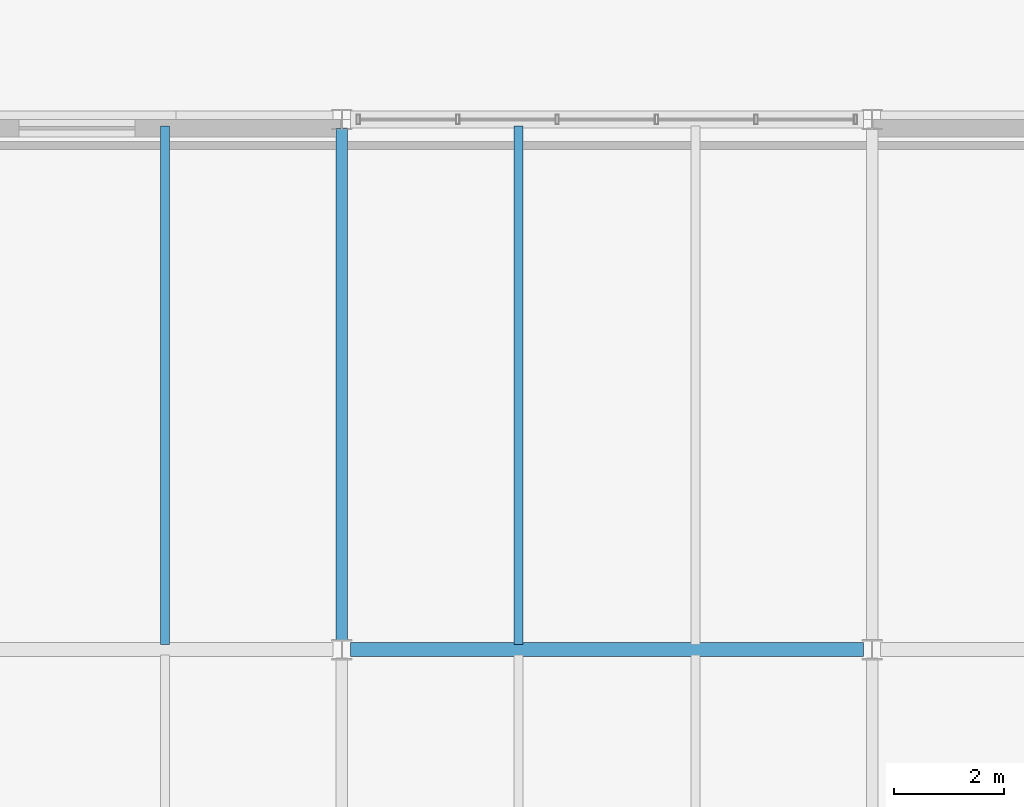
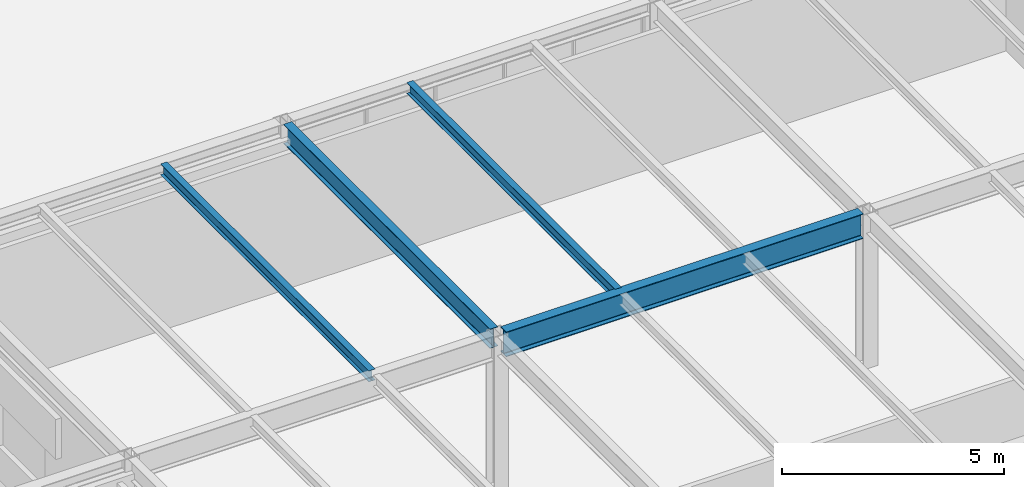
# One storey, part 123 of 170: 4 beams.
"""IFC4 building model written with IfcOpenShell, lengths in metres."""

from ifc_helpers import new_model, si_unit, direction, frame, origin, origin_2d, place, context, subcontext, project, spatial, i_section, extrude, material, material_profile, profile_set, type_object, element, save


model = new_model("IFC4")

# Units and contexts
model_context = context("Model", 3, precision=1e-05, world=origin(), true_north=direction((0.0, 1.0)))
body_context = subcontext(model_context, "Body", "Model", "MODEL_VIEW")
ifc_project = project(units=[si_unit("LENGTHUNIT", "METRE"), si_unit("AREAUNIT", "SQUARE_METRE"), si_unit("VOLUMEUNIT", "CUBIC_METRE"), si_unit("PLANEANGLEUNIT", "RADIAN"), si_unit("MASSUNIT", "GRAM", prefix="KILO")], contexts=[model_context])

# Site, building, storey
site_placement = place(None, origin())
site = spatial("IfcSite", under=ifc_project, at=site_placement, CompositionType="ELEMENT")
building_placement = place(site_placement, origin())
building = spatial("IfcBuilding", under=site, at=building_placement, Name="Coralgate Yard Interchange", CompositionType="ELEMENT")
storey_placement = place(building_placement, frame((0.0, 0.0, 6.0)))
storey = spatial("IfcBuildingStorey", under=building, at=storey_placement, Name="L01", CompositionType="ELEMENT", Elevation=6.0)

# Beams
ifc_material = material(Name="Structural steel S355J2", Category="steel")
ifc_material_profile_1 = material_profile(ifc_material, i_section(OverallWidth=0.209228515625, OverallDepth=0.533203125, WebThickness=0.010009765625, FlangeThickness=0.015625, FilletRadius=0.0126953125, at=origin_2d()), Name="UB 533x210x92")
ifc_profile_set_1 = profile_set([ifc_material_profile_1], Name="Structural steel S355J2")
beam_type_1 = type_object("IfcBeamType", Name="BM-SB-1", PredefinedType="BEAM", material=ifc_profile_set_1)
beam_1_placement = place(storey_placement, frame((163.199951171875, 19.35400390625, 3.9833984375), z_axis=(0.0, 1.0, 0.0), x_axis=(-1.0, 0.0, 0.0)))
element("IfcBeam", 1, at=beam_1_placement, inside=storey, type_object=beam_type_1, Name="L01 primary grid girder X17 Y2-3", PredefinedType="BEAM", context=body_context, shape_type="SweptSolid", body=[
    extrude(i_section(OverallWidth=0.209228515625, OverallDepth=0.533203125, WebThickness=0.010009765625, FlangeThickness=0.015625, FilletRadius=0.0126953125, at=origin_2d()), origin(), (0.0, 0.0, 1.0), 9.2919921875),
])
ifc_material_profile_2 = material_profile(ifc_material, i_section(OverallWidth=0.253662109375, OverallDepth=0.68359375, WebThickness=0.012451171875, FlangeThickness=0.01904296875, FilletRadius=0.01513671875, at=origin_2d()), Name="UB 686x254x140")
ifc_profile_set_2 = profile_set([ifc_material_profile_2], Name="Structural steel S355J2")
beam_type_2 = type_object("IfcBeamType", Name="BM-SG-4", PredefinedType="BEAM", material=ifc_profile_set_2)
beam_2_placement = place(storey_placement, frame((163.356201171875, 19.199951171875, 3.908203125), z_axis=(1.0, 0.0, 0.0), x_axis=(0.0, 1.0, 0.0)))
element("IfcBeam", 2, at=beam_2_placement, inside=storey, type_object=beam_type_2, Name="L01 primary grid beam Y2 X17-18", PredefinedType="BEAM", context=body_context, shape_type="SweptSolid", body=[
    extrude(i_section(OverallWidth=0.253662109375, OverallDepth=0.68359375, WebThickness=0.012451171875, FlangeThickness=0.01904296875, FilletRadius=0.01513671875, at=origin_2d()), origin(), (0.0, 0.0, 1.0), 9.28759765625),
])
ifc_material_profile_3 = material_profile(ifc_material, i_section(OverallWidth=0.1650390625, OverallDepth=0.303466796875, WebThickness=0.006103515625, FlangeThickness=0.01025390625, FilletRadius=0.0087890625, at=origin_2d()), Name="UB 305x165x40")
ifc_profile_set_3 = profile_set([ifc_material_profile_3], Name="Structural steel S355J2")
beam_type_3 = type_object("IfcBeamType", Name="BM-SJ-1", PredefinedType="JOIST", material=ifc_profile_set_3)
for number, where, z_axis, x_axis, name in (
    (3, (160.0, 19.296875, 4.098388671875), (0.0, 1.0, 0.0), (-1.0, 0.0, 0.0), "L01 composite floor joist 16-2-2"),
    (4, (166.39990234375, 19.296875, 4.098388671875), (0.0, 1.0, 0.0), (-1.0, 0.0, 0.0), "L01 composite floor joist 17-2-1"),
):
    element("IfcBeam", number, at=place(storey_placement, frame(where, z_axis=z_axis, x_axis=x_axis)), inside=storey, type_object=beam_type_3, Name=name, PredefinedType="JOIST", context=body_context, shape_type="SweptSolid", body=[
        extrude(i_section(OverallWidth=0.1650390625, OverallDepth=0.303466796875, WebThickness=0.006103515625, FlangeThickness=0.01025390625, FilletRadius=0.0087890625, at=origin_2d()), origin(), (0.0, 0.0, 1.0), 9.383056640625),
    ])

save(model, "model.ifc")
